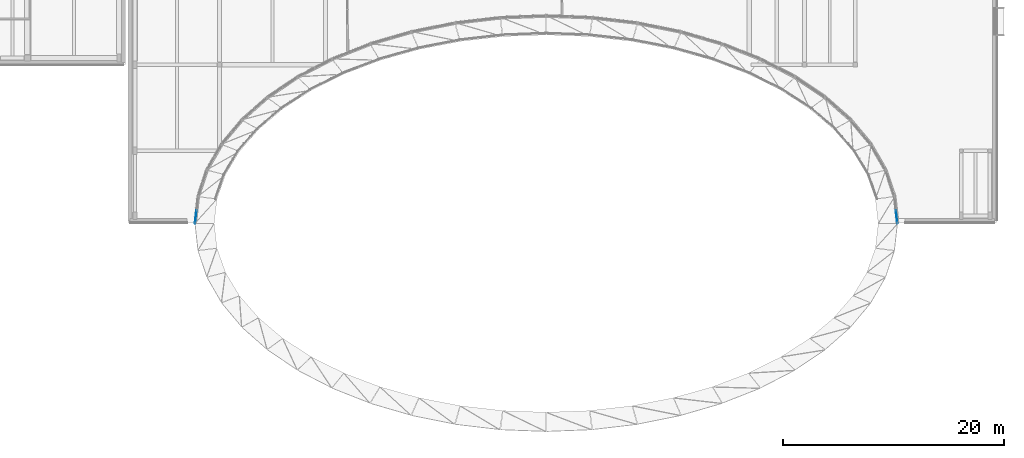
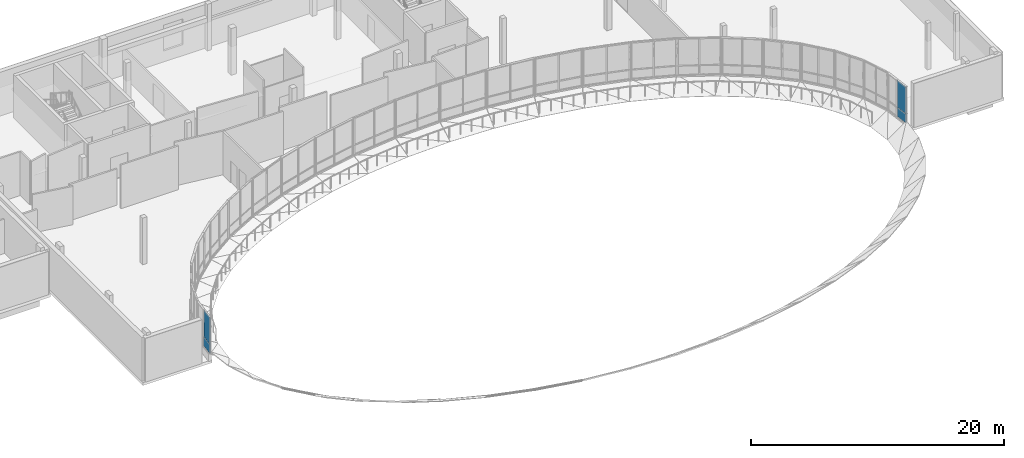
# One storey, part 18 of 41: 4 plates, 2 elements without a shape of their own.
"""IFC4 building model written with IfcOpenShell, lengths in metres."""

import ifcopenshell
import ifcopenshell.guid

model = None  # the IFC model being written
_history = None  # IfcOwnerHistory: only IFC2X3 demands one
_inside = {}  # id of a spatial element -> (the spatial element, [elements in it])
_under = {}  # id of a project, library or spatial element -> (it, [spatial elements below it])
_declared = {}  # id of a project -> (the project, [libraries it declares])
_typed = {}  # id of a type object -> (the type object, [elements of that type])
_made_of = {}  # id of a material, layer set ... -> (it, [elements and type objects made of it])


def new_model(schema):
    """Start an empty IFC model of exactly this schema.

    Asked for "IFC4X3", IfcOpenShell would pick the latest addendum, in which some entities
    have other attributes; the version numbers below select the first issue.
    IFC2X3 requires an IfcOwnerHistory on every rooted entity: one is made here for all.
    """
    global model, _history
    if schema == "IFC4X3":
        model = ifcopenshell.file(schema_version=(4, 3, 0, 0))
    else:
        model = ifcopenshell.file(schema=schema)
    _inside.clear()
    _under.clear()
    _declared.clear()
    _typed.clear()
    _made_of.clear()
    _history = None
    if model.schema == "IFC2X3":
        org = make("IfcOrganization", Name="unknown")
        user = make(
            "IfcPersonAndOrganization",
            ThePerson=make("IfcPerson", FamilyName="unknown"),
            TheOrganization=org,
        )
        app = make(
            "IfcApplication",
            ApplicationDeveloper=org,
            Version="unknown",
            ApplicationFullName="unknown",
            ApplicationIdentifier="unknown",
        )
        _history = make(
            "IfcOwnerHistory",
            OwningUser=user,
            OwningApplication=app,
            ChangeAction="ADDED",
            CreationDate=0,
        )
    return model


def make(cls, **values):
    """One entity of the class cls with the attributes given. An attribute that is None is left unset."""
    return model.create_entity(
        cls, **{name: value for name, value in values.items() if value is not None}
    )


def rooted(cls, **values):
    """An entity with a GlobalId (a new one), such as an element, a storey or a relation."""
    return make(cls, GlobalId=ifcopenshell.guid.new(), OwnerHistory=_history, **values)


def si_unit(unit_type, name, prefix=None):
    """IfcSIUnit, for example si_unit("LENGTHUNIT", "METRE", prefix="MILLI")."""
    return make("IfcSIUnit", UnitType=unit_type, Prefix=prefix, Name=name)


def assignment(units):
    """IfcUnitAssignment: the units of a project."""
    return None if units is None else make("IfcUnitAssignment", Units=units)


def point(xyz):
    """IfcCartesianPoint."""
    return None if xyz is None else make("IfcCartesianPoint", Coordinates=xyz)


def direction(xyz):
    """IfcDirection."""
    return None if xyz is None else make("IfcDirection", DirectionRatios=xyz)


def frame(location, z_axis=None, x_axis=None):
    """IfcAxis2Placement3D, a coordinate frame: its origin and axes. An axis left out is left unset."""
    return make(
        "IfcAxis2Placement3D",
        Location=point(location),
        Axis=direction(z_axis),
        RefDirection=direction(x_axis),
    )


def frame_2d(location, x_axis=None):
    """IfcAxis2Placement2D, a coordinate frame in the plane: its origin and x axis."""
    return make(
        "IfcAxis2Placement2D", Location=point(location), RefDirection=direction(x_axis)
    )


def origin():
    """The frame at (0, 0, 0) with its axes left unset."""
    return frame((0.0, 0.0, 0.0))


def origin_2d():
    """The frame at (0, 0) in the plane with its x axis left unset."""
    return frame_2d((0.0, 0.0))


def place(relative_to, where):
    """IfcLocalPlacement: puts the frame where relative to a parent placement (None: the world)."""
    return make(
        "IfcLocalPlacement", PlacementRelTo=relative_to, RelativePlacement=where
    )


def context(
    kind, dimensions, precision=None, world=None, true_north=None, identifier=None
):
    """IfcGeometricRepresentationContext, for example the 3D "Model" context."""
    return make(
        "IfcGeometricRepresentationContext",
        ContextIdentifier=identifier,
        ContextType=kind,
        CoordinateSpaceDimension=dimensions,
        Precision=precision,
        WorldCoordinateSystem=world,
        TrueNorth=true_north,
    )


def subcontext(parent, identifier, kind, view, scale=None):
    """IfcGeometricRepresentationSubContext, for example "Body" below "Model"."""
    return make(
        "IfcGeometricRepresentationSubContext",
        ContextIdentifier=identifier,
        ContextType=kind,
        ParentContext=parent,
        TargetScale=scale,
        TargetView=view,
    )


def project(units=None, contexts=None):
    """IfcProject with its units and contexts."""
    return rooted(
        "IfcProject",
        Name="project",
        RepresentationContexts=contexts,
        UnitsInContext=assignment(units),
    )


def spatial(cls, under=None, at=None, **own):
    """A site, building, storey or space (cls), placed at a placement, below another one or the project."""
    s = rooted(cls, ObjectPlacement=at, **own)
    if under is not None:
        _under.setdefault(under.id(), (under, []))[1].append(s)
    return s


def profile(cls, at=None, kind="AREA", **sizes):
    """A parametric profile (cls). Its sizes go by their IFC names, for example OverallWidth=200.0."""
    return make(cls, ProfileType=kind, Position=at, **sizes)


def rectangle(**sizes):
    """IfcRectangleProfileDef."""
    return profile("IfcRectangleProfileDef", **sizes)


def extrude(swept, where, along, depth):
    """IfcExtrudedAreaSolid: the profile swept, set in the frame where, extruded along a direction by depth."""
    return make(
        "IfcExtrudedAreaSolid",
        SweptArea=swept,
        Position=where,
        ExtrudedDirection=direction(along),
        Depth=depth,
    )


def shape(context_of_items, identifier, shape_type, items):
    """IfcShapeRepresentation: the items that make up one representation, for example the "Body"."""
    return make(
        "IfcShapeRepresentation",
        ContextOfItems=context_of_items,
        RepresentationIdentifier=identifier,
        RepresentationType=shape_type,
        Items=items,
    )


def material(Name=None, Category=None):
    """IfcMaterial."""
    return make("IfcMaterial", Name=Name, Category=Category)


def layer(
    of_material, thickness, ventilated=None, Name=None, Category=None, Priority=None
):
    """IfcMaterialLayer: one layer of a wall or slab, of a material (None: an air gap)."""
    return make(
        "IfcMaterialLayer",
        Material=of_material,
        LayerThickness=thickness,
        IsVentilated=ventilated,
        Name=Name,
        Category=Category,
        Priority=Priority,
    )


def layer_set(layers, Name=None):
    """IfcMaterialLayerSet."""
    return make("IfcMaterialLayerSet", MaterialLayers=layers, LayerSetName=Name)


def made_of(thing, what):
    """Note that an element or type object is made of a material, layer set ...; save() writes the relation."""
    if what is not None:
        _made_of.setdefault(what.id(), (what, []))[1].append(thing)
    return thing


def type_object(cls, material=None, **own):
    """A type object (cls), such as IfcWallType, which elements share."""
    return made_of(rooted(cls, **own), material)


def element(
    cls,
    number,
    at=None,
    inside=None,
    cuts=None,
    type_object=None,
    material=None,
    context=None,
    identifier="Body",
    shape_type=None,
    held_by="IfcProductDefinitionShape",
    body=None,
    shapes=None,
    **own,
):
    """One element of the class cls, such as IfcWall. Its Tag is "e" and its number.

    at: its placement. inside: the storey or other place that contains it. cuts: it is an
    opening in that element (IfcRelVoidsElement). A single representation is given by context,
    identifier, shape_type and body (its items); several are given by shapes. held_by: the class
    of the entity that holds the representations. save() writes the other relations.
    """
    e = rooted(cls, Tag="e%d" % number, ObjectPlacement=at, **own)
    if body is not None:
        shapes = [shape(context, identifier, shape_type, body)]
    if shapes is not None:
        e.Representation = make(held_by, Representations=shapes)
    if inside is not None:
        _inside.setdefault(inside.id(), (inside, []))[1].append(e)
    if cuts is not None:
        rooted(
            "IfcRelVoidsElement", RelatingBuildingElement=cuts, RelatedOpeningElement=e
        )
    if type_object is not None:
        _typed.setdefault(type_object.id(), (type_object, []))[1].append(e)
    return made_of(e, material)


def aggregate(whole, parts):
    """IfcRelAggregates: a whole, such as a stair, and the parts it consists of."""
    return rooted("IfcRelAggregates", RelatingObject=whole, RelatedObjects=parts)


def save(model, path):
    """Write the relations noted so far, then the file.

    IfcRelAggregates (storeys below a building ...), IfcRelContainedInSpatialStructure (elements
    in a storey), IfcRelDefinesByType, IfcRelAssociatesMaterial and IfcRelDeclares: one each for
    every whole, place, type object, material and project.
    """
    for whole, parts in _under.values():
        aggregate(whole, parts)
    for where, things in _inside.values():
        rooted(
            "IfcRelContainedInSpatialStructure",
            RelatedElements=things,
            RelatingStructure=where,
        )
    for kind, things in _typed.values():
        rooted("IfcRelDefinesByType", RelatedObjects=things, RelatingType=kind)
    for what, things in _made_of.values():
        rooted("IfcRelAssociatesMaterial", RelatedObjects=things, RelatingMaterial=what)
    for by, libraries in _declared.values():
        rooted("IfcRelDeclares", RelatingContext=by, RelatedDefinitions=libraries)
    model.write(path)


model = new_model("IFC4")

# Units and contexts
model_context = context("Model", 3, precision=1e-05, world=origin(), true_north=direction((0.0, 1.0)))
body_context = subcontext(model_context, "Body", "Model", "MODEL_VIEW")
ifc_project = project(units=[si_unit("LENGTHUNIT", "METRE"), si_unit("AREAUNIT", "SQUARE_METRE"), si_unit("VOLUMEUNIT", "CUBIC_METRE"), si_unit("PLANEANGLEUNIT", "RADIAN"), si_unit("MASSUNIT", "GRAM", prefix="KILO")], contexts=[model_context])

# Site, building, storey
site_placement = place(None, origin())
site = spatial("IfcSite", under=ifc_project, at=site_placement, CompositionType="ELEMENT")
building_placement = place(site_placement, origin())
building = spatial("IfcBuilding", under=site, at=building_placement, Name="Mzevani Central Library", CompositionType="ELEMENT")
storey_placement = place(building_placement, frame((0.0, 0.0, 13.800048828125)))
storey = spatial("IfcBuildingStorey", under=building, at=storey_placement, Name="L03", CompositionType="ELEMENT", Elevation=13.800048828125)

# Curtain wall, plate
ifc_material_1 = material(Name="Thermally broken aluminium and Low-E triple glazing", Category="aluminium")
curtain_wall_type_1 = type_object("IfcCurtainWallType", Name="Reading Hall Northlight Curtain Wall", PredefinedType="NOTDEFINED", material=ifc_material_1)
curtain_wall_1_placement = place(storey_placement, origin())
curtain_wall_1 = element("IfcCurtainWall", 1, at=curtain_wall_1_placement, inside=storey, type_object=curtain_wall_type_1, Name="L03 Elliptical Court Curtain Wall 1", PredefinedType="NOTDEFINED")
ifc_material_2 = material(Name="Thermally broken aluminium AW-6060", Category="aluminium")
ifc_layer_1 = layer(ifc_material_2, 0.0419921875, Name="CW Insulated Spandrel Panel 42")
ifc_layer_set_1 = layer_set([ifc_layer_1], Name="Thermally broken aluminium AW-6060")
plate_type_1 = type_object("IfcPlateType", Name="CW Insulated Spandrel Panel 42", PredefinedType="CURTAIN_PANEL", material=ifc_layer_set_1)
plate_1_placement = place(storey_placement, frame((115.752197265625, 76.615966796875, 0.719970703125), z_axis=(0.0, 0.0, 1.0), x_axis=(-0.110579113657, 0.99386732496, 0.0)))
plate_1 = element("IfcPlate", 2, at=plate_1_placement, type_object=plate_type_1, Name="L03 Elliptical Court Curtain Wall 1 Spandrel Panel 1", PredefinedType="CURTAIN_PANEL", context=body_context, shape_type="SweptSolid", body=[
    extrude(rectangle(XDim=1.22216796875, YDim=0.0419921875, at=origin_2d()), origin(), (0.0, 0.0, 1.0), 0.89990234375),
])

curtain_wall_type_2 = type_object("IfcCurtainWallType", Name="Elliptical Court Unitised Curtain Wall", PredefinedType="NOTDEFINED", material=ifc_material_1)
curtain_wall_2_placement = place(storey_placement, origin())
curtain_wall_2 = element("IfcCurtainWall", 3, at=curtain_wall_2_placement, inside=storey, type_object=curtain_wall_type_2, Name="L03 Elliptical Court Curtain Wall 24", PredefinedType="NOTDEFINED")
plate_2_placement = place(storey_placement, frame((52.247802734375, 76.615966796875, 0.719970703125), z_axis=(0.0, 0.0, 1.0), x_axis=(-0.110579113657, -0.99386732496, 0.0)))
plate_2 = element("IfcPlate", 4, at=plate_2_placement, type_object=plate_type_1, Name="L03 Elliptical Court Curtain Wall 24 Spandrel Panel 3", PredefinedType="CURTAIN_PANEL", context=body_context, shape_type="SweptSolid", body=[
    extrude(rectangle(XDim=1.22216796875, YDim=0.0419921875, at=origin_2d()), origin(), (0.0, 0.0, 1.0), 0.89990234375),
])

# Plate
ifc_material_3 = material(Name="Low-E triple glazing glass", Category="glass")
ifc_layer_2 = layer(ifc_material_3, 0.028076171875, Name="CW Triple Glazed Vision Panel 28")
ifc_layer_set_2 = layer_set([ifc_layer_2], Name="Low-E triple glazing glass")
plate_type_2 = type_object("IfcPlateType", Name="CW Triple Glazed Vision Panel 28", PredefinedType="CURTAIN_PANEL", material=ifc_layer_set_2)
plate_3_placement = place(storey_placement, frame((115.752197265625, 76.615966796875, 1.619873046875), z_axis=(0.0, 0.0, 1.0), x_axis=(-0.110579113657, 0.99386732496, 0.0)))
plate_3 = element("IfcPlate", 5, at=plate_3_placement, type_object=plate_type_2, Name="L03 Elliptical Court Curtain Wall 1 Vision Panel 2", PredefinedType="CURTAIN_PANEL", context=body_context, shape_type="SweptSolid", body=[
    extrude(rectangle(XDim=1.22216796875, YDim=0.028076171875, at=origin_2d()), origin(), (0.0, 0.0, 1.0), 2.60009765625),
])

aggregate(curtain_wall_1, [plate_1, plate_3])

plate_4_placement = place(storey_placement, frame((52.247802734375, 76.615966796875, 1.619873046875), z_axis=(0.0, 0.0, 1.0), x_axis=(-0.110579113657, -0.99386732496, 0.0)))
plate_4 = element("IfcPlate", 6, at=plate_4_placement, type_object=plate_type_2, Name="L03 Elliptical Court Curtain Wall 24 Vision Panel 4", PredefinedType="CURTAIN_PANEL", context=body_context, shape_type="SweptSolid", body=[
    extrude(rectangle(XDim=1.22216796875, YDim=0.028076171875, at=origin_2d()), origin(), (0.0, 0.0, 1.0), 2.60009765625),
])

aggregate(curtain_wall_2, [plate_2, plate_4])

save(model, "model.ifc")
